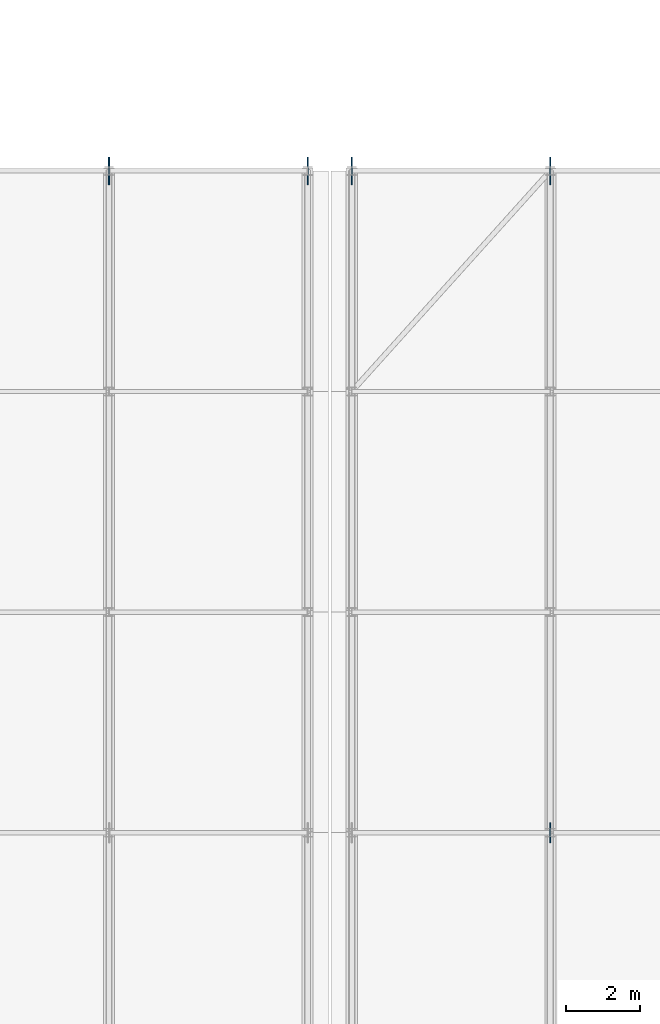
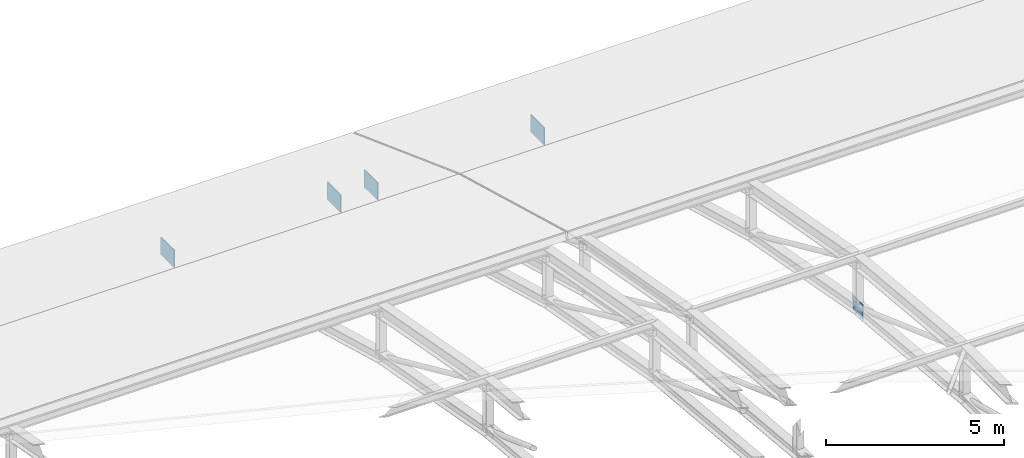
# One storey, part 183 of 204: 5 plates.
"""IFC4 building model written with IfcOpenShell, lengths in metres."""

from ifc_helpers import new_model, si_unit, direction, frame, origin, origin_2d, place, context, subcontext, project, spatial, rectangle, extrude, material, layer, layer_set, type_object, element, save


model = new_model("IFC4")

# Units and contexts
model_context = context("Model", 3, precision=1e-05, world=origin(), true_north=direction((0.0, 1.0)))
body_context = subcontext(model_context, "Body", "Model", "MODEL_VIEW")
ifc_project = project(units=[si_unit("LENGTHUNIT", "METRE"), si_unit("AREAUNIT", "SQUARE_METRE"), si_unit("VOLUMEUNIT", "CUBIC_METRE"), si_unit("PLANEANGLEUNIT", "RADIAN"), si_unit("MASSUNIT", "GRAM", prefix="KILO")], contexts=[model_context])

# Site, building, storey
site_placement = place(None, origin())
site = spatial("IfcSite", under=ifc_project, at=site_placement, CompositionType="ELEMENT")
building_placement = place(site_placement, origin())
building = spatial("IfcBuilding", under=site, at=building_placement, Name="Zilviju Railside Exhibition Hall", CompositionType="ELEMENT")
storey_placement = place(building_placement, frame((0.0, 0.0, 21.0)))
storey = spatial("IfcBuildingStorey", under=building, at=storey_placement, Name="RF", CompositionType="ELEMENT", Elevation=21.0)

# Plates
ifc_material = material(Name="Steel S355ML", Category="steel")
ifc_layer_1 = layer(ifc_material, 0.028076171875)
ifc_layer_set_1 = layer_set([ifc_layer_1], Name="Steel S355ML")
plate_type_1 = type_object("IfcPlateType", Name="PLATE-GP-28", PredefinedType="SHEET", material=ifc_layer_set_1)
plate_placement = place(storey_placement, frame((180.0, 36.0, -3.072265625), z_axis=(0.0, 0.0, 1.0), x_axis=(1.0, 0.0, 0.0)))
element("IfcPlate", 1, at=plate_placement, inside=storey, type_object=plate_type_1, Name="V1 Truss Node Gusset Plate X=180.0 N6", PredefinedType="SHEET", context=body_context, shape_type="SweptSolid", body=[
    extrude(rectangle(XDim=0.028076171875, YDim=0.550048828125, at=origin_2d()), origin(), (0.0, 0.0, 1.0), 0.5),
])
ifc_layer_2 = layer(ifc_material, 0.031982421875)
ifc_layer_set_2 = layer_set([ifc_layer_2], Name="Steel S355ML")
plate_type_2 = type_object("IfcPlateType", Name="PLATE-GP-32", PredefinedType="SHEET", material=ifc_layer_set_2)
for number, where, z_axis, x_axis, name in (
    (2, (168.0, 54.0, -7.949951171875), (0.0, 0.0, 1.0), (1.0, 0.0, 0.0), "V1 Arch Pin-Shoe Gusset Plate X=168.0"),
    (3, (173.39990234375, 54.0, -7.949951171875), (0.0, 0.0, 1.0), (1.0, 0.0, 0.0), "V1 Arch Pin-Shoe Gusset Plate X=173.4"),
    (4, (174.60009765625, 54.0, -7.949951171875), (0.0, 0.0, 1.0), (1.0, 0.0, 0.0), "V1 Arch Pin-Shoe Gusset Plate X=174.6"),
    (5, (180.0, 54.0, -7.949951171875), (0.0, 0.0, 1.0), (1.0, 0.0, 0.0), "V1 Arch Pin-Shoe Gusset Plate X=180.0"),
):
    element("IfcPlate", number, at=place(storey_placement, frame(where, z_axis=z_axis, x_axis=x_axis)), inside=storey, type_object=plate_type_2, Name=name, PredefinedType="SHEET", context=body_context, shape_type="SweptSolid", body=[
        extrude(rectangle(XDim=0.031982421875, YDim=0.75, at=origin_2d()), origin(), (0.0, 0.0, 1.0), 0.60009765625),
    ])

save(model, "model.ifc")
